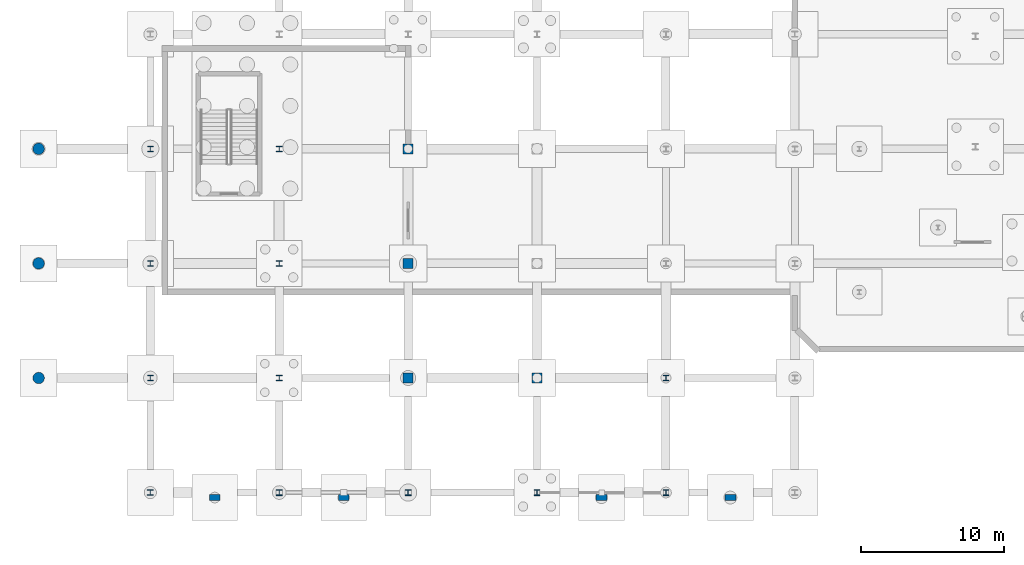
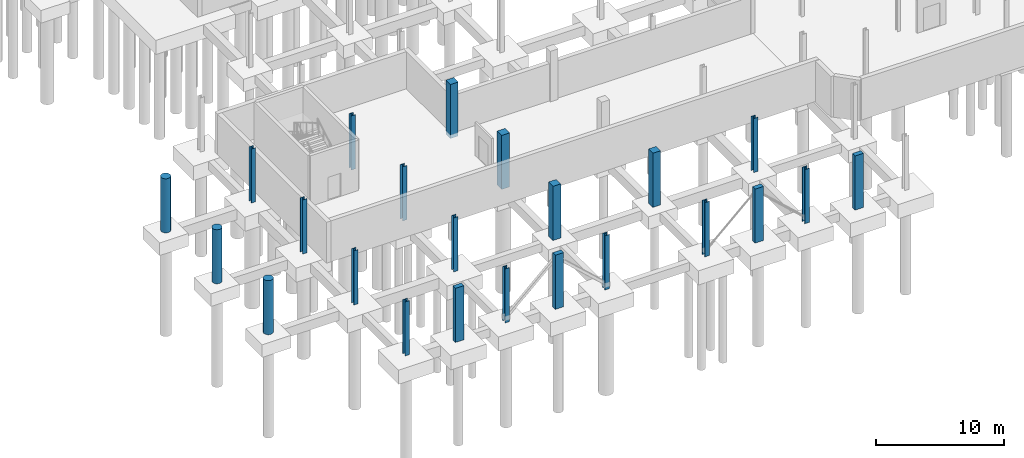
# One storey, part 10 of 37: 23 columns.
"""IFC4 building model written with IfcOpenShell, lengths in metres."""

from ifc_helpers import new_model, si_unit, direction, frame, origin, origin_2d, place, context, subcontext, project, spatial, rectangle, circle, i_section, extrude, material, material_profile, profile_set, type_object, element, save


model = new_model("IFC4")

# Units and contexts
model_context = context("Model", 3, precision=1e-05, world=origin(), true_north=direction((0.0, 1.0)))
body_context = subcontext(model_context, "Body", "Model", "MODEL_VIEW")
ifc_project = project(units=[si_unit("LENGTHUNIT", "METRE"), si_unit("AREAUNIT", "SQUARE_METRE"), si_unit("VOLUMEUNIT", "CUBIC_METRE"), si_unit("PLANEANGLEUNIT", "RADIAN"), si_unit("MASSUNIT", "GRAM", prefix="KILO"), si_unit("THERMODYNAMICTEMPERATUREUNIT", "KELVIN"), si_unit("POWERUNIT", "WATT")], contexts=[model_context])

# Site, building, storey
site_placement = place(None, origin())
site = spatial("IfcSite", under=ifc_project, at=site_placement, CompositionType="ELEMENT")
building_placement = place(site_placement, origin())
building = spatial("IfcBuilding", under=site, at=building_placement, Name="Zelmaris Science Centre", CompositionType="ELEMENT")
storey_placement = place(building_placement, frame((0.0, 0.0, -4.800048828125)))
storey = spatial("IfcBuildingStorey", under=building, at=storey_placement, Name="B1", CompositionType="ELEMENT", Elevation=-4.800048828125)

# Columns
ifc_material_1 = material(Name="Steel ASTM A992 Grade 50", Category="steel")
ifc_material_profile_1 = material_profile(ifc_material_1, i_section(OverallWidth=0.406005859375, OverallDepth=0.4169921875, WebThickness=0.02978515625, FlangeThickness=0.04443359375, FilletRadius=0.014892578125, at=origin_2d()), Name="W14X257")
ifc_profile_set_1 = profile_set([ifc_material_profile_1], Name="Steel ASTM A992 Grade 50")
column_type_1 = type_object("IfcColumnType", Name="Column C-02 W14X257", PredefinedType="COLUMN", material=ifc_profile_set_1)
for number, where, z_axis, x_axis, name in (
    (1, (18.0, 8.0, -0.349853515625), (0.0, 0.0, 1.0), (1.0, 0.0, 0.0), "Column V3-P-18-8 B1"),
    (2, (27.0, 8.0, -0.349853515625), (0.0, 0.0, 1.0), (1.0, 0.0, 0.0), "Column V3-P-27-8 B1"),
    (3, (36.0, 8.0, -0.349853515625), (0.0, 0.0, 1.0), (1.0, 0.0, 0.0), "Column V3-P-36-8 B1"),
    (4, (45.0, 8.0, -0.349853515625), (0.0, 0.0, 1.0), (1.0, 0.0, 0.0), "Column V3-P-45-8 B1"),
):
    element("IfcColumn", number, at=place(storey_placement, frame(where, z_axis=z_axis, x_axis=x_axis)), inside=storey, type_object=column_type_1, Name=name, PredefinedType="COLUMN", context=body_context, shape_type="SweptSolid", body=[
        extrude(i_section(OverallWidth=0.406005859375, OverallDepth=0.4169921875, WebThickness=0.02978515625, FlangeThickness=0.04443359375, FilletRadius=0.014892578125, at=origin_2d()), origin(), (0.0, 0.0, 1.0), 5.14990234375),
    ])
ifc_material_profile_2 = material_profile(ifc_material_1, i_section(OverallWidth=0.39892578125, OverallDepth=0.385986328125, WebThickness=0.02099609375, FlangeThickness=0.033203125, FilletRadius=0.014892578125, at=origin_2d()), Name="W14X176")
ifc_profile_set_2 = profile_set([ifc_material_profile_2], Name="Steel ASTM A992 Grade 50")
column_type_2 = type_object("IfcColumnType", Name="Column C-04 W14X176", PredefinedType="COLUMN", material=ifc_profile_set_2)
column_placement = place(storey_placement, frame((9.0, 8.0, -0.349853515625), z_axis=(0.0, 0.0, 1.0), x_axis=(1.0, 0.0, 0.0)))
element("IfcColumn", 5, at=column_placement, inside=storey, type_object=column_type_2, Name="Column V3-P-9-8 B1", PredefinedType="COLUMN", context=body_context, shape_type="SweptSolid", body=[
    extrude(i_section(OverallWidth=0.39892578125, OverallDepth=0.385986328125, WebThickness=0.02099609375, FlangeThickness=0.033203125, FilletRadius=0.014892578125, at=origin_2d()), origin(), (0.0, 0.0, 1.0), 5.14990234375),
])
ifc_material_profile_3 = material_profile(ifc_material_1, i_section(OverallWidth=0.39404296875, OverallDepth=0.3759765625, WebThickness=0.017333984375, FlangeThickness=0.027587890625, FilletRadius=0.014892578125, at=origin_2d()), Name="W14X145")
ifc_profile_set_3 = profile_set([ifc_material_profile_3], Name="Steel ASTM A992 Grade 50")
column_type_3 = type_object("IfcColumnType", Name="Column C-05 W14X145", PredefinedType="COLUMN", material=ifc_profile_set_3)
for number, where, z_axis, x_axis, name in (
    (6, (9.0, 16.0, -0.349853515625), (0.0, 0.0, 1.0), (1.0, 0.0, 0.0), "Column V3-F-9-16 B1"),
    (7, (9.0, 24.0, -0.349853515625), (0.0, 0.0, 1.0), (1.0, 0.0, 0.0), "Column V3-F-9-24 B1"),
    (8, (9.0, 32.0, -0.349853515625), (0.0, 0.0, 1.0), (1.0, 0.0, 0.0), "Column V3-F-9-32 B1"),
    (9, (18.0, 16.0, -0.349853515625), (0.0, 0.0, 1.0), (1.0, 0.0, 0.0), "Column V3-F-18-16 B1"),
    (10, (18.0, 24.0, -0.349853515625), (0.0, 0.0, 1.0), (1.0, 0.0, 0.0), "Column V3-F-18-24 B1"),
    (11, (18.0, 32.0, -0.349853515625), (0.0, 0.0, 1.0), (1.0, 0.0, 0.0), "Column V3-F-18-32 B1"),
    (12, (45.0, 16.0, -0.349853515625), (0.0, 0.0, 1.0), (1.0, 0.0, 0.0), "Column V3-F-45-16 B1"),
):
    element("IfcColumn", number, at=place(storey_placement, frame(where, z_axis=z_axis, x_axis=x_axis)), inside=storey, type_object=column_type_3, Name=name, PredefinedType="COLUMN", context=body_context, shape_type="SweptSolid", body=[
        extrude(i_section(OverallWidth=0.39404296875, OverallDepth=0.3759765625, WebThickness=0.017333984375, FlangeThickness=0.027587890625, FilletRadius=0.014892578125, at=origin_2d()), origin(), (0.0, 0.0, 1.0), 5.14990234375),
    ])
ifc_material_2 = material(Name="Concrete C40/50", Category="concrete")
ifc_material_profile_4 = material_profile(ifc_material_2, rectangle(XDim=0.699951171875, YDim=0.699951171875, at=origin_2d()), Name="RC-COL-700X700")
ifc_profile_set_4 = profile_set([ifc_material_profile_4], Name="Concrete C40/50")
column_type_4 = type_object("IfcColumnType", Name="Column C-15 RC-COL-700X700", PredefinedType="COLUMN", material=ifc_profile_set_4)
for number, where, z_axis, x_axis, name in (
    (13, (27.0, 16.0, -0.349853515625), (0.0, 0.0, 1.0), (1.0, 0.0, 0.0), "Column V3-B1-27-16 B1"),
    (14, (27.0, 24.0, -0.349853515625), (0.0, 0.0, 1.0), (1.0, 0.0, 0.0), "Column V3-B1-27-24 B1"),
    (15, (27.0, 32.0, -0.349853515625), (0.0, 0.0, 1.0), (1.0, 0.0, 0.0), "Column V3-B1-27-32 B1"),
    (16, (36.0, 16.0, -0.349853515625), (0.0, 0.0, 1.0), (1.0, 0.0, 0.0), "Column V3-B1-36-16 B1"),
):
    element("IfcColumn", number, at=place(storey_placement, frame(where, z_axis=z_axis, x_axis=x_axis)), inside=storey, type_object=column_type_4, Name=name, PredefinedType="COLUMN", context=body_context, shape_type="SweptSolid", body=[
        extrude(rectangle(XDim=0.699951171875, YDim=0.699951171875, at=origin_2d()), origin(), (0.0, 0.0, 1.0), 5.14990234375),
    ])
ifc_material_3 = material(Name="Yucatan limestone ashlar masonry", Category="masonry")
ifc_material_profile_5 = material_profile(ifc_material_3, circle(Radius=0.39990234375, at=origin_2d()), Name="COL-LIM-D800")
ifc_profile_set_5 = profile_set([ifc_material_profile_5], Name="Yucatan limestone ashlar masonry")
column_type_5 = type_object("IfcColumnType", Name="Column C-17 COL-LIM-D800", PredefinedType="COLUMN", material=ifc_profile_set_5)
for number, where, z_axis, x_axis, name in (
    (17, (1.199951171875, 16.0, -0.349853515625), (0.0, 0.0, 1.0), (1.0, 0.0, 0.0), "Column V3-WP-16 B1"),
    (18, (1.199951171875, 24.0, -0.349853515625), (0.0, 0.0, 1.0), (1.0, 0.0, 0.0), "Column V3-WP-24 B1"),
    (19, (1.199951171875, 32.0, -0.349853515625), (0.0, 0.0, 1.0), (1.0, 0.0, 0.0), "Column V3-WP-32 B1"),
):
    element("IfcColumn", number, at=place(storey_placement, frame(where, z_axis=z_axis, x_axis=x_axis)), inside=storey, type_object=column_type_5, Name=name, PredefinedType="COLUMN", context=body_context, shape_type="SweptSolid", body=[
        extrude(circle(Radius=0.39990234375, at=origin_2d()), origin(), (0.0, 0.0, 1.0), 5.14990234375),
    ])
ifc_material_profile_6 = material_profile(ifc_material_3, rectangle(XDim=0.75, YDim=0.419921875, at=origin_2d()), Name="PIL-LIM-750X420")
ifc_profile_set_6 = profile_set([ifc_material_profile_6], Name="Yucatan limestone ashlar masonry")
column_type_6 = type_object("IfcColumnType", Name="Pilaster PL-01 PIL-LIM-750X420", PredefinedType="PILASTER", material=ifc_profile_set_6)
for number, where, z_axis, x_axis, name in (
    (20, (13.5, 7.64990234375, -0.349853515625), (0.0, 0.0, 1.0), (1.0, 0.0, 0.0), "Limestone pilaster PIL-V3S-1 B1"),
    (21, (22.5, 7.64990234375, -0.349853515625), (0.0, 0.0, 1.0), (1.0, 0.0, 0.0), "Limestone pilaster PIL-V3S-2 B1"),
    (22, (40.5, 7.64990234375, -0.349853515625), (0.0, 0.0, 1.0), (1.0, 0.0, 0.0), "Limestone pilaster PIL-V3S-3 B1"),
    (23, (49.5, 7.64990234375, -0.349853515625), (0.0, 0.0, 1.0), (1.0, 0.0, 0.0), "Limestone pilaster PIL-V3S-4 B1"),
):
    element("IfcColumn", number, at=place(storey_placement, frame(where, z_axis=z_axis, x_axis=x_axis)), inside=storey, type_object=column_type_6, Name=name, PredefinedType="PILASTER", context=body_context, shape_type="SweptSolid", body=[
        extrude(rectangle(XDim=0.75, YDim=0.419921875, at=origin_2d()), origin(), (0.0, 0.0, 1.0), 5.14990234375),
    ])

save(model, "model.ifc")
